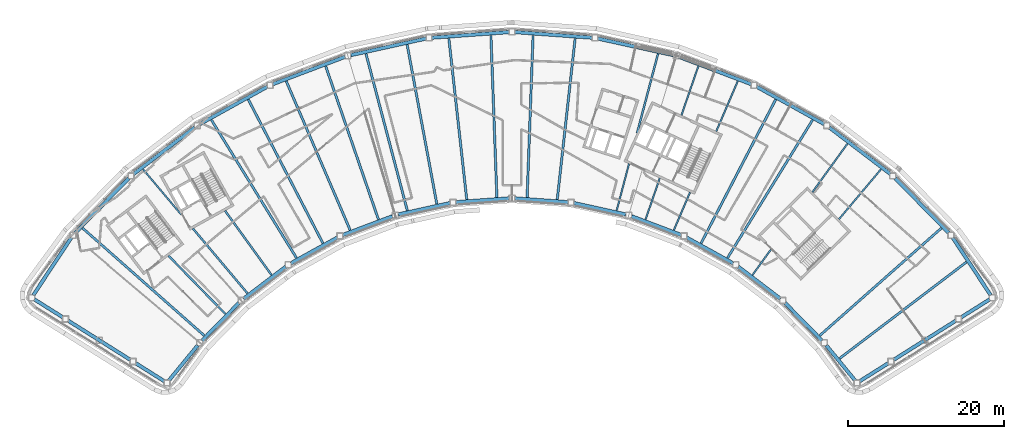
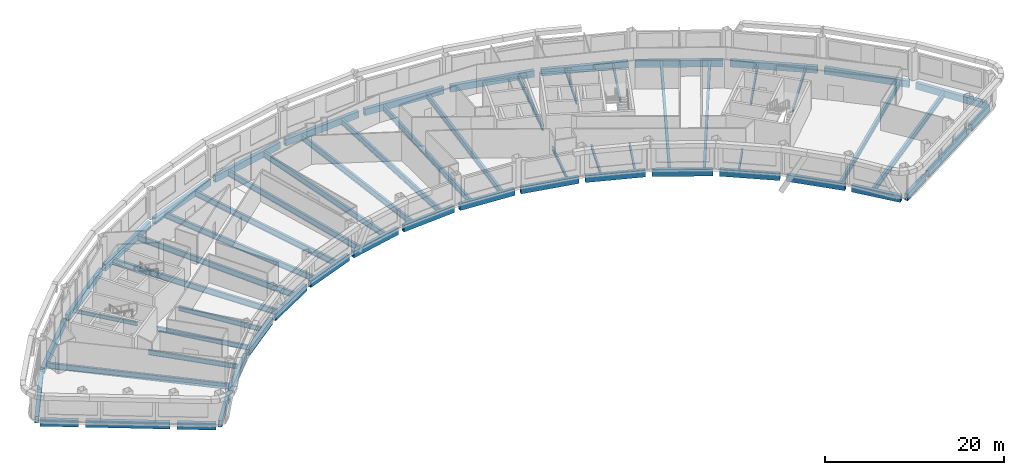
# One storey, part 3 of 13: 62 beams.
"""IFC4 building model written with IfcOpenShell, lengths in metres."""

from ifc_helpers import new_model, si_unit, direction, frame, origin, origin_2d, place, context, subcontext, project, spatial, hollow_rectangle, i_section, extrude, material, material_profile, profile_set, type_object, element, save


model = new_model("IFC4")

# Units and contexts
model_context = context("Model", 3, precision=1e-05, world=origin(), true_north=direction((0.0, 1.0)))
body_context = subcontext(model_context, "Body", "Model", "MODEL_VIEW")
ifc_project = project(units=[si_unit("LENGTHUNIT", "METRE"), si_unit("AREAUNIT", "SQUARE_METRE"), si_unit("VOLUMEUNIT", "CUBIC_METRE"), si_unit("PLANEANGLEUNIT", "RADIAN"), si_unit("MASSUNIT", "GRAM", prefix="KILO")], contexts=[model_context])

# Site, building, storey
site_placement = place(None, origin())
site = spatial("IfcSite", under=ifc_project, at=site_placement, CompositionType="ELEMENT")
building_placement = place(site_placement, origin())
building = spatial("IfcBuilding", under=site, at=building_placement, Name="Tuul Gate Civic Tower", CompositionType="ELEMENT")
storey_placement = place(building_placement, frame((0.0, 0.0, 252.60009765625)))
storey = spatial("IfcBuildingStorey", under=building, at=storey_placement, Name="Level 57", CompositionType="ELEMENT", Elevation=252.60009765625)

# Beams
ifc_material_1 = material(Name="Steel S355", Category="steel")
ifc_material_profile_1 = material_profile(ifc_material_1, i_section(OverallWidth=0.199951171875, OverallDepth=0.5, WebThickness=0.010009765625, FlangeThickness=0.01611328125, at=origin_2d()), Name="PG500x200x10x16")
ifc_profile_set_1 = profile_set([ifc_material_profile_1], Name="Steel S355")
beam_type_1 = type_object("IfcBeamType", Name="STR-FLOOR BEAM-PG500x200x10x16", PredefinedType="BEAM", material=ifc_profile_set_1)
beam_1_placement = place(storey_placement, frame((53.012939453125, -10.570068359375, -0.550048828125), z_axis=(0.644124963716, 0.764920277622, 0.0), x_axis=(-0.764920277622, 0.644124963716, 0.0)))
element("IfcBeam", 1, at=beam_1_placement, inside=storey, type_object=beam_type_1, Name="Floor beam", PredefinedType="BEAM", context=body_context, shape_type="SweptSolid", body=[
    extrude(i_section(OverallWidth=0.199951171875, OverallDepth=0.5, WebThickness=0.010009765625, FlangeThickness=0.01611328125, at=origin_2d()), origin(), (0.0, 0.0, 1.0), 8.367431640625),
])
beam_2_placement = place(storey_placement, frame((41.900390625, -17.74755859375, -0.550048828125), z_axis=(0.58608498793, 0.810249583106, 0.0), x_axis=(-0.810249583106, 0.58608498793, 0.0)))
element("IfcBeam", 2, at=beam_2_placement, inside=storey, type_object=beam_type_1, Name="Floor beam", PredefinedType="BEAM", context=body_context, shape_type="SweptSolid", body=[
    extrude(i_section(OverallWidth=0.199951171875, OverallDepth=0.5, WebThickness=0.010009765625, FlangeThickness=0.01611328125, at=origin_2d()), origin(), (0.0, 0.0, 1.0), 4.017822265625),
])
beam_3_placement = place(storey_placement, frame((49.606201171875, -7.094482421875, -0.550048828125), z_axis=(0.586082829809, 0.810251144154, 0.0), x_axis=(-0.810251144154, 0.586082829809, 0.0)))
element("IfcBeam", 3, at=beam_3_placement, inside=storey, type_object=beam_type_1, Name="Floor beam", PredefinedType="BEAM", context=body_context, shape_type="SweptSolid", body=[
    extrude(i_section(OverallWidth=0.199951171875, OverallDepth=0.5, WebThickness=0.010009765625, FlangeThickness=0.01611328125, at=origin_2d()), origin(), (0.0, 0.0, 1.0), 7.658447265625),
])
beam_4_placement = place(storey_placement, frame((31.8076171875, -11.986328125, -0.550048828125), z_axis=(0.394180828633, 0.919032901663, 0.0), x_axis=(-0.919032901663, 0.394180828633, 0.0)))
element("IfcBeam", 4, at=beam_4_placement, inside=storey, type_object=beam_type_1, Name="Floor beam", PredefinedType="BEAM", context=body_context, shape_type="SweptSolid", body=[
    extrude(i_section(OverallWidth=0.199951171875, OverallDepth=0.5, WebThickness=0.010009765625, FlangeThickness=0.01611328125, at=origin_2d()), origin(), (0.0, 0.0, 1.0), 5.294921875),
])
beam_5_placement = place(storey_placement, frame((37.247314453125, 0.695556640625, -0.550048828125), z_axis=(0.394187897698, 0.91902986965, 0.0), x_axis=(-0.91902986965, 0.394187897698, 0.0)))
element("IfcBeam", 5, at=beam_5_placement, inside=storey, type_object=beam_type_1, Name="Floor beam", PredefinedType="BEAM", context=body_context, shape_type="SweptSolid", body=[
    extrude(i_section(OverallWidth=0.199951171875, OverallDepth=0.5, WebThickness=0.010009765625, FlangeThickness=0.01611328125, at=origin_2d()), origin(), (0.0, 0.0, 1.0), 7.020263671875),
])
beam_6_placement = place(storey_placement, frame((28.17724609375, -10.613525390625, -0.550048828125), z_axis=(0.32546385433, 0.945554482579, 0.0), x_axis=(-0.945554482579, 0.32546385433, 0.0)))
element("IfcBeam", 6, at=beam_6_placement, inside=storey, type_object=beam_type_1, Name="Floor beam", PredefinedType="BEAM", context=body_context, shape_type="SweptSolid", body=[
    extrude(i_section(OverallWidth=0.199951171875, OverallDepth=0.5, WebThickness=0.010009765625, FlangeThickness=0.01611328125, at=origin_2d()), origin(), (0.0, 0.0, 1.0), 5.61328125),
])
beam_7_placement = place(storey_placement, frame((32.7861328125, 2.775634765625, -0.550048828125), z_axis=(0.325498409491, 0.94554258784, 0.0), x_axis=(-0.94554258784, 0.325498409491, 0.0)))
element("IfcBeam", 7, at=beam_7_placement, inside=storey, type_object=beam_type_1, Name="Floor beam", PredefinedType="BEAM", context=body_context, shape_type="SweptSolid", body=[
    extrude(i_section(OverallWidth=0.199951171875, OverallDepth=0.5, WebThickness=0.010009765625, FlangeThickness=0.01611328125, at=origin_2d()), origin(), (0.0, 0.0, 1.0), 6.649169921875),
])
beam_8_placement = place(storey_placement, frame((24.469482421875, -9.467041015625, -0.550048828125), z_axis=(0.254996491749, 0.966941978195, 0.0), x_axis=(-0.966941978195, 0.254996491749, 0.0)))
element("IfcBeam", 8, at=beam_8_placement, inside=storey, type_object=beam_type_1, Name="Floor beam", PredefinedType="BEAM", context=body_context, shape_type="SweptSolid", body=[
    extrude(i_section(OverallWidth=0.199951171875, OverallDepth=0.5, WebThickness=0.010009765625, FlangeThickness=0.01611328125, at=origin_2d()), origin(), (0.0, 0.0, 1.0), 6.208984375),
])
beam_9_placement = place(storey_placement, frame((-31.43212890625, -9.998779296875, -0.550048828125), z_axis=(-0.644120948452, 0.764923658782, 0.0), x_axis=(-0.764923658782, -0.644120948452, 0.0)))
element("IfcBeam", 9, at=beam_9_placement, inside=storey, type_object=beam_type_1, Name="Floor beam", PredefinedType="BEAM", context=body_context, shape_type="SweptSolid", body=[
    extrude(i_section(OverallWidth=0.199951171875, OverallDepth=0.5, WebThickness=0.010009765625, FlangeThickness=0.01611328125, at=origin_2d()), origin(), (0.0, 0.0, 1.0), 7.62109375),
])
ifc_material_2 = material(Name="Steel S355", Category="steel")
ifc_material_profile_2 = material_profile(ifc_material_2, i_section(OverallWidth=0.25, OverallDepth=0.64990234375, WebThickness=0.011962890625, FlangeThickness=0.02001953125, at=origin_2d()), Name="PG650x250x12x20")
ifc_profile_set_2 = profile_set([ifc_material_profile_2], Name="Steel S355")
beam_type_2 = type_object("IfcBeamType", Name="STR-FLOOR BEAM-PG650x250x12x20", PredefinedType="BEAM", material=ifc_profile_set_2)
beam_10_placement = place(storey_placement, frame((27.08447265625, 0.44873046875, -0.625), z_axis=(0.255007501185, 0.966939074782, 0.0), x_axis=(-0.966939074782, 0.255007501185, 0.0)))
element("IfcBeam", 10, at=beam_10_placement, inside=storey, type_object=beam_type_2, Name="Floor beam", PredefinedType="BEAM", context=body_context, shape_type="SweptSolid", body=[
    extrude(i_section(OverallWidth=0.25, OverallDepth=0.64990234375, WebThickness=0.011962890625, FlangeThickness=0.02001953125, at=origin_2d()), origin(), (0.0, 0.0, 1.0), 10.562744140625),
])
beam_11_placement = place(storey_placement, frame((-19.838623046875, -17.747314453125, -0.625), z_axis=(-0.586080278924, 0.810252989292, 0.0), x_axis=(-0.810252989292, -0.586080278924, 0.0)))
element("IfcBeam", 11, at=beam_11_placement, inside=storey, type_object=beam_type_2, Name="Floor beam", PredefinedType="BEAM", context=body_context, shape_type="SweptSolid", body=[
    extrude(i_section(OverallWidth=0.25, OverallDepth=0.64990234375, WebThickness=0.011962890625, FlangeThickness=0.02001953125, at=origin_2d()), origin(), (0.0, 0.0, 1.0), 10.18505859375),
])
beam_12_placement = place(storey_placement, frame((-22.927001953125, -20.0986328125, -0.625), z_axis=(-0.644130906332, 0.764915273418, 0.0), x_axis=(-0.764915273418, -0.644130906332, 0.0)))
element("IfcBeam", 12, at=beam_12_placement, inside=storey, type_object=beam_type_2, Name="Floor beam", PredefinedType="BEAM", context=body_context, shape_type="SweptSolid", body=[
    extrude(i_section(OverallWidth=0.25, OverallDepth=0.64990234375, WebThickness=0.011962890625, FlangeThickness=0.02001953125, at=origin_2d()), origin(), (0.0, 0.0, 1.0), 10.87451171875),
])
beam_13_placement = place(storey_placement, frame((-25.767333984375, -22.744140625, -0.625), z_axis=(-0.698680484376, 0.715433840933, 0.0), x_axis=(-0.715433840933, -0.698680484376, 0.0)))
element("IfcBeam", 13, at=beam_13_placement, inside=storey, type_object=beam_type_2, Name="Floor beam", PredefinedType="BEAM", context=body_context, shape_type="SweptSolid", body=[
    extrude(i_section(OverallWidth=0.25, OverallDepth=0.64990234375, WebThickness=0.011962890625, FlangeThickness=0.02001953125, at=origin_2d()), origin(), (0.0, 0.0, 1.0), 10.43408203125),
])
ifc_material_3 = material(Name="Steel S355", Category="steel")
ifc_material_profile_3 = material_profile(ifc_material_3, i_section(OverallWidth=0.300048828125, OverallDepth=0.800048828125, WebThickness=0.013916015625, FlangeThickness=0.02490234375, at=origin_2d()), Name="PG800x300x14x25")
ifc_profile_set_3 = profile_set([ifc_material_profile_3], Name="Steel S355")
beam_type_3 = type_object("IfcBeamType", Name="STR-FLOOR BEAM-PG800x300x14x25", PredefinedType="BEAM", material=ifc_profile_set_3)
beam_14_placement = place(storey_placement, frame((53.0859375, -28.4609375, -0.7001953125), z_axis=(0.796147939121, 0.605102023657, 0.0), x_axis=(-0.605102023657, 0.796147939121, 0.0)))
element("IfcBeam", 14, at=beam_14_placement, inside=storey, type_object=beam_type_3, Name="Floor beam", PredefinedType="BEAM", context=body_context, shape_type="SweptSolid", body=[
    extrude(i_section(OverallWidth=0.300048828125, OverallDepth=0.800048828125, WebThickness=0.013916015625, FlangeThickness=0.02490234375, at=origin_2d()), origin(), (0.0, 0.0, 1.0), 20.4619140625),
])
beam_15_placement = place(storey_placement, frame((50.546630859375, -25.51611328125, -0.7001953125), z_axis=(0.749454599758, 0.662055740026, 0.0), x_axis=(-0.662055740026, 0.749454599758, 0.0)))
element("IfcBeam", 15, at=beam_15_placement, inside=storey, type_object=beam_type_3, Name="Floor beam", PredefinedType="BEAM", context=body_context, shape_type="SweptSolid", body=[
    extrude(i_section(OverallWidth=0.300048828125, OverallDepth=0.800048828125, WebThickness=0.013916015625, FlangeThickness=0.02490234375, at=origin_2d()), origin(), (0.0, 0.0, 1.0), 20.82763671875),
])
beam_16_placement = place(storey_placement, frame((38.69677734375, -15.556396484375, -0.7001953125), z_axis=(0.524851468826, 0.851193829672, 0.0), x_axis=(-0.851193829672, 0.524851468826, 0.0)))
element("IfcBeam", 16, at=beam_16_placement, inside=storey, type_object=beam_type_3, Name="Floor beam", PredefinedType="BEAM", context=body_context, shape_type="SweptSolid", body=[
    extrude(i_section(OverallWidth=0.300048828125, OverallDepth=0.800048828125, WebThickness=0.013916015625, FlangeThickness=0.02490234375, at=origin_2d()), origin(), (0.0, 0.0, 1.0), 20.822998046875),
])
beam_17_placement = place(storey_placement, frame((35.30224609375, -13.67431640625, -0.7001953125), z_axis=(0.460781503105, 0.887513609133, 0.0), x_axis=(-0.887513609133, 0.460781503105, 0.0)))
element("IfcBeam", 17, at=beam_17_placement, inside=storey, type_object=beam_type_3, Name="Floor beam", PredefinedType="BEAM", context=body_context, shape_type="SweptSolid", body=[
    extrude(i_section(OverallWidth=0.300048828125, OverallDepth=0.800048828125, WebThickness=0.013916015625, FlangeThickness=0.02490234375, at=origin_2d()), origin(), (0.0, 0.0, 1.0), 20.807861328125),
])
beam_18_placement = place(storey_placement, frame((16.84228515625, -8.052001953125, -0.7001953125), z_axis=(0.110274472783, 0.993901172478, 0.0), x_axis=(-0.993901172478, 0.110274472783, 0.0)))
element("IfcBeam", 18, at=beam_18_placement, inside=storey, type_object=beam_type_3, Name="Floor beam", PredefinedType="BEAM", context=body_context, shape_type="SweptSolid", body=[
    extrude(i_section(OverallWidth=0.300048828125, OverallDepth=0.800048828125, WebThickness=0.013916015625, FlangeThickness=0.02490234375, at=origin_2d()), origin(), (0.0, 0.0, 1.0), 20.8154296875),
])
for number, where, z_axis, x_axis, name in (
    (19, (12.971435546875, -7.771728515625, -0.7001953125), (0.036820764609, 0.999321885727, 0.0), (-0.999321885727, 0.036820764609, 0.0), "Floor beam"),
    (20, (9.090576171875, -7.771728515625, -0.7001953125), (-0.036832478792, 0.999321454041, 0.0), (-0.999321454041, -0.036832478792, 0.0), "Floor beam"),
):
    element("IfcBeam", number, at=place(storey_placement, frame(where, z_axis=z_axis, x_axis=x_axis)), inside=storey, type_object=beam_type_3, Name=name, PredefinedType="BEAM", context=body_context, shape_type="SweptSolid", body=[
        extrude(i_section(OverallWidth=0.300048828125, OverallDepth=0.800048828125, WebThickness=0.013916015625, FlangeThickness=0.02490234375, at=origin_2d()), origin(), (0.0, 0.0, 1.0), 20.813232421875),
    ])
beam_19_placement = place(storey_placement, frame((5.2197265625, -8.052001953125, -0.7001953125), z_axis=(-0.110286058964, 0.993899886909, 0.0), x_axis=(-0.993899886909, -0.110286058964, 0.0)))
element("IfcBeam", 21, at=beam_19_placement, inside=storey, type_object=beam_type_3, Name="Floor beam", PredefinedType="BEAM", context=body_context, shape_type="SweptSolid", body=[
    extrude(i_section(OverallWidth=0.300048828125, OverallDepth=0.800048828125, WebThickness=0.013916015625, FlangeThickness=0.02490234375, at=origin_2d()), origin(), (0.0, 0.0, 1.0), 20.8154296875),
])
beam_20_placement = place(storey_placement, frame((1.38232421875, -8.631591796875, -0.7001953125), z_axis=(-0.1831360046, 0.983087587054, 0.0), x_axis=(-0.983087587054, -0.1831360046, 0.0)))
element("IfcBeam", 22, at=beam_20_placement, inside=storey, type_object=beam_type_3, Name="Floor beam", PredefinedType="BEAM", context=body_context, shape_type="SweptSolid", body=[
    extrude(i_section(OverallWidth=0.300048828125, OverallDepth=0.800048828125, WebThickness=0.013916015625, FlangeThickness=0.02490234375, at=origin_2d()), origin(), (0.0, 0.0, 1.0), 20.811279296875),
])
beam_21_placement = place(storey_placement, frame((-2.40771484375, -9.467041015625, -0.7001953125), z_axis=(-0.255004720301, 0.96693980817, 0.0), x_axis=(-0.96693980817, -0.255004720301, 0.0)))
element("IfcBeam", 23, at=beam_21_placement, inside=storey, type_object=beam_type_3, Name="Floor beam", PredefinedType="BEAM", context=body_context, shape_type="SweptSolid", body=[
    extrude(i_section(OverallWidth=0.300048828125, OverallDepth=0.800048828125, WebThickness=0.013916015625, FlangeThickness=0.02490234375, at=origin_2d()), origin(), (0.0, 0.0, 1.0), 20.817626953125),
])
beam_22_placement = place(storey_placement, frame((-6.115478515625, -10.613525390625, -0.7001953125), z_axis=(-0.325476485131, 0.945550134909, 0.0), x_axis=(-0.945550134909, -0.325476485131, 0.0)))
element("IfcBeam", 24, at=beam_22_placement, inside=storey, type_object=beam_type_3, Name="Floor beam", PredefinedType="BEAM", context=body_context, shape_type="SweptSolid", body=[
    extrude(i_section(OverallWidth=0.300048828125, OverallDepth=0.800048828125, WebThickness=0.013916015625, FlangeThickness=0.02490234375, at=origin_2d()), origin(), (0.0, 0.0, 1.0), 20.809326171875),
])
beam_23_placement = place(storey_placement, frame((-9.74560546875, -11.986328125, -0.7001953125), z_axis=(-0.394206576273, 0.919021857859, 0.0), x_axis=(-0.919021857859, -0.394206576273, 0.0)))
element("IfcBeam", 25, at=beam_23_placement, inside=storey, type_object=beam_type_3, Name="Floor beam", PredefinedType="BEAM", context=body_context, shape_type="SweptSolid", body=[
    extrude(i_section(OverallWidth=0.300048828125, OverallDepth=0.800048828125, WebThickness=0.013916015625, FlangeThickness=0.02490234375, at=origin_2d()), origin(), (0.0, 0.0, 1.0), 20.81982421875),
])
beam_24_placement = place(storey_placement, frame((-13.240478515625, -13.674072265625, -0.7001953125), z_axis=(-0.460777059353, 0.887515916237, 0.0), x_axis=(-0.887515916237, -0.460777059353, 0.0)))
element("IfcBeam", 26, at=beam_24_placement, inside=storey, type_object=beam_type_3, Name="Floor beam", PredefinedType="BEAM", context=body_context, shape_type="SweptSolid", body=[
    extrude(i_section(OverallWidth=0.300048828125, OverallDepth=0.800048828125, WebThickness=0.013916015625, FlangeThickness=0.02490234375, at=origin_2d()), origin(), (0.0, 0.0, 1.0), 20.8076171875),
])
beam_25_placement = place(storey_placement, frame((-16.63525390625, -15.55615234375, -0.7001953125), z_axis=(-0.524839716817, 0.851201075922, 0.0), x_axis=(-0.851201075922, -0.524839716817, 0.0)))
element("IfcBeam", 27, at=beam_25_placement, inside=storey, type_object=beam_type_3, Name="Floor beam", PredefinedType="BEAM", context=body_context, shape_type="SweptSolid", body=[
    extrude(i_section(OverallWidth=0.300048828125, OverallDepth=0.800048828125, WebThickness=0.013916015625, FlangeThickness=0.02490234375, at=origin_2d()), origin(), (0.0, 0.0, 1.0), 20.822509765625),
])
beam_26_placement = place(storey_placement, frame((-28.48486328125, -25.51611328125, -0.7001953125), z_axis=(-0.749449461751, 0.662061556263, 0.0), x_axis=(-0.662061556263, -0.749449461751, 0.0)))
element("IfcBeam", 28, at=beam_26_placement, inside=storey, type_object=beam_type_3, Name="Floor beam", PredefinedType="BEAM", context=body_context, shape_type="SweptSolid", body=[
    extrude(i_section(OverallWidth=0.300048828125, OverallDepth=0.800048828125, WebThickness=0.013916015625, FlangeThickness=0.02490234375, at=origin_2d()), origin(), (0.0, 0.0, 1.0), 20.827392578125),
])
ifc_material_4 = material(Name="Steel S355", Category="steel")
ifc_material_profile_4 = material_profile(ifc_material_4, hollow_rectangle(XDim=0.449951171875, YDim=0.89990234375, WallThickness=0.02490234375, at=origin_2d()), Name="BOX900x450x25")
ifc_profile_set_4 = profile_set([ifc_material_profile_4], Name="Steel S355")
beam_type_4 = type_object("IfcBeamType", Name="STR-SPANDREL BEAM-BOX900x450x25", PredefinedType="BEAM", material=ifc_profile_set_4)
beam_27_placement = place(storey_placement, frame((72.4814453125, -20.3203125, -0.75), z_axis=(-0.551644580762, 0.834079286708, 0.0), x_axis=(-0.834079286708, -0.551644580762, 0.0)))
element("IfcBeam", 29, at=beam_27_placement, inside=storey, type_object=beam_type_4, Name="Spandrel beam", PredefinedType="BEAM", context=body_context, shape_type="SweptSolid", body=[
    extrude(hollow_rectangle(XDim=0.449951171875, YDim=0.89990234375, WallThickness=0.02490234375, at=origin_2d()), origin(), (0.0, 0.0, 1.0), 8.805908203125),
])
beam_28_placement = place(storey_placement, frame((67.123046875, -12.3564453125, -0.75), z_axis=(-0.700052630296, 0.714091251042, 0.0), x_axis=(-0.714091251042, -0.700052630296, 0.0)))
element("IfcBeam", 30, at=beam_28_placement, inside=storey, type_object=beam_type_4, Name="Spandrel beam", PredefinedType="BEAM", context=body_context, shape_type="SweptSolid", body=[
    extrude(hollow_rectangle(XDim=0.449951171875, YDim=0.89990234375, WallThickness=0.02490234375, at=origin_2d()), origin(), (0.0, 0.0, 1.0), 9.8779296875),
])
beam_29_placement = place(storey_placement, frame((59.60986328125, -4.774658203125, -0.75), z_axis=(-0.795586019059, 0.605840644294, 0.0), x_axis=(-0.605840644294, -0.795586019059, 0.0)))
element("IfcBeam", 31, at=beam_29_placement, inside=storey, type_object=beam_type_4, Name="Spandrel beam", PredefinedType="BEAM", context=body_context, shape_type="SweptSolid", body=[
    extrude(hollow_rectangle(XDim=0.449951171875, YDim=0.89990234375, WallThickness=0.02490234375, at=origin_2d()), origin(), (0.0, 0.0, 1.0), 9.877685546875),
])
beam_30_placement = place(storey_placement, frame((51.083251953125, 1.64599609375, -0.75), z_axis=(-0.874631416408, 0.484788495565, 0.0), x_axis=(-0.484788495565, -0.874631416408, 0.0)))
element("IfcBeam", 32, at=beam_30_placement, inside=storey, type_object=beam_type_4, Name="Spandrel beam", PredefinedType="BEAM", context=body_context, shape_type="SweptSolid", body=[
    extrude(hollow_rectangle(XDim=0.449951171875, YDim=0.89990234375, WallThickness=0.02490234375, at=origin_2d()), origin(), (0.0, 0.0, 1.0), 9.876708984375),
])
beam_31_placement = place(storey_placement, frame((41.720947265625, 6.76953125, -0.75), z_axis=(-0.935348375613, 0.353727884451, 0.0), x_axis=(-0.353727884451, -0.935348375613, 0.0)))
element("IfcBeam", 33, at=beam_31_placement, inside=storey, type_object=beam_type_4, Name="Spandrel beam", PredefinedType="BEAM", context=body_context, shape_type="SweptSolid", body=[
    extrude(hollow_rectangle(XDim=0.449951171875, YDim=0.89990234375, WallThickness=0.02490234375, at=origin_2d()), origin(), (0.0, 0.0, 1.0), 9.87744140625),
])
beam_32_placement = place(storey_placement, frame((31.71728515625, 10.490966796875, -0.75), z_axis=(-0.976565880984, 0.215218679716, 0.0), x_axis=(-0.215218679716, -0.976565880984, 0.0)))
element("IfcBeam", 34, at=beam_32_placement, inside=storey, type_object=beam_type_4, Name="Spandrel beam", PredefinedType="BEAM", context=body_context, shape_type="SweptSolid", body=[
    extrude(hollow_rectangle(XDim=0.449951171875, YDim=0.89990234375, WallThickness=0.02490234375, at=origin_2d()), origin(), (0.0, 0.0, 1.0), 9.878173828125),
])
beam_33_placement = place(storey_placement, frame((21.281005859375, 12.73193359375, -0.75), z_axis=(-0.997389983978, 0.072202630563, 0.0), x_axis=(-0.072202630563, -0.997389983978, 0.0)))
element("IfcBeam", 35, at=beam_33_placement, inside=storey, type_object=beam_type_4, Name="Spandrel beam", PredefinedType="BEAM", context=body_context, shape_type="SweptSolid", body=[
    extrude(hollow_rectangle(XDim=0.449951171875, YDim=0.89990234375, WallThickness=0.02490234375, at=origin_2d()), origin(), (0.0, 0.0, 1.0), 9.876953125),
])
beam_34_placement = place(storey_placement, frame((10.632080078125, 13.445068359375, -0.75), z_axis=(-0.997390499353, -0.072195510943, 0.0), x_axis=(0.072195510943, -0.997390499353, 0.0)))
element("IfcBeam", 36, at=beam_34_placement, inside=storey, type_object=beam_type_4, Name="Spandrel beam", PredefinedType="BEAM", context=body_context, shape_type="SweptSolid", body=[
    extrude(hollow_rectangle(XDim=0.449951171875, YDim=0.89990234375, WallThickness=0.02490234375, at=origin_2d()), origin(), (0.0, 0.0, 1.0), 9.8779296875),
])
beam_35_placement = place(storey_placement, frame((-0.009521484375, 12.616943359375, -0.75), z_axis=(-0.97656649642, -0.215215887123, 0.0), x_axis=(0.215215887123, -0.97656649642, 0.0)))
element("IfcBeam", 37, at=beam_35_placement, inside=storey, type_object=beam_type_4, Name="Spandrel beam", PredefinedType="BEAM", context=body_context, shape_type="SweptSolid", body=[
    extrude(hollow_rectangle(XDim=0.449951171875, YDim=0.89990234375, WallThickness=0.02490234375, at=origin_2d()), origin(), (0.0, 0.0, 1.0), 9.877197265625),
])
beam_36_placement = place(storey_placement, frame((-10.420166015625, 10.263427734375, -0.75), z_axis=(-0.935348375613, -0.353727884451, 0.0), x_axis=(0.353727884451, -0.935348375613, 0.0)))
element("IfcBeam", 38, at=beam_36_placement, inside=storey, type_object=beam_type_4, Name="Spandrel beam", PredefinedType="BEAM", context=body_context, shape_type="SweptSolid", body=[
    extrude(hollow_rectangle(XDim=0.449951171875, YDim=0.89990234375, WallThickness=0.02490234375, at=origin_2d()), origin(), (0.0, 0.0, 1.0), 9.87744140625),
])
beam_37_placement = place(storey_placement, frame((-20.3828125, 6.43408203125, -0.75), z_axis=(-0.874631416408, -0.484788495565, 0.0), x_axis=(0.484788495565, -0.874631416408, 0.0)))
element("IfcBeam", 39, at=beam_37_placement, inside=storey, type_object=beam_type_4, Name="Spandrel beam", PredefinedType="BEAM", context=body_context, shape_type="SweptSolid", body=[
    extrude(hollow_rectangle(XDim=0.449951171875, YDim=0.89990234375, WallThickness=0.02490234375, at=origin_2d()), origin(), (0.0, 0.0, 1.0), 9.876708984375),
])
beam_38_placement = place(storey_placement, frame((-29.689208984375, 1.209716796875, -0.75), z_axis=(-0.795622302229, -0.605792994509, 0.0), x_axis=(0.605792994509, -0.795622302229, 0.0)))
element("IfcBeam", 40, at=beam_38_placement, inside=storey, type_object=beam_type_4, Name="Spandrel beam", PredefinedType="BEAM", context=body_context, shape_type="SweptSolid", body=[
    extrude(hollow_rectangle(XDim=0.449951171875, YDim=0.89990234375, WallThickness=0.02490234375, at=origin_2d()), origin(), (0.0, 0.0, 1.0), 9.878662109375),
])
beam_39_placement = place(storey_placement, frame((-38.14697265625, -5.302734375, -0.75), z_axis=(-0.700002211949, -0.714140674704, 0.0), x_axis=(0.714140674704, -0.700002211949, 0.0)))
element("IfcBeam", 41, at=beam_39_placement, inside=storey, type_object=beam_type_4, Name="Spandrel beam", PredefinedType="BEAM", context=body_context, shape_type="SweptSolid", body=[
    extrude(hollow_rectangle(XDim=0.449951171875, YDim=0.89990234375, WallThickness=0.02490234375, at=origin_2d()), origin(), (0.0, 0.0, 1.0), 9.877197265625),
])
beam_40_placement = place(storey_placement, frame((-45.561767578125, -12.9755859375, -0.75), z_axis=(-0.551644580762, -0.834079286708, 0.0), x_axis=(0.834079286708, -0.551644580762, 0.0)))
element("IfcBeam", 42, at=beam_40_placement, inside=storey, type_object=beam_type_4, Name="Spandrel beam", PredefinedType="BEAM", context=body_context, shape_type="SweptSolid", body=[
    extrude(hollow_rectangle(XDim=0.449951171875, YDim=0.89990234375, WallThickness=0.02490234375, at=origin_2d()), origin(), (0.0, 0.0, 1.0), 8.805908203125),
])
beam_41_placement = place(storey_placement, frame((-50.301513671875, -20.8671875, -0.75), z_axis=(0.84613117079, -0.532974710298, 0.0), x_axis=(0.532974710298, 0.84613117079, 0.0)))
element("IfcBeam", 43, at=beam_41_placement, inside=storey, type_object=beam_type_4, Name="Spandrel beam", PredefinedType="BEAM", context=body_context, shape_type="SweptSolid", body=[
    extrude(hollow_rectangle(XDim=0.449951171875, YDim=0.89990234375, WallThickness=0.02490234375, at=origin_2d()), origin(), (0.0, 0.0, 1.0), 4.33154296875),
])
beam_42_placement = place(storey_placement, frame((-45.95947265625, -23.60205078125, -0.75), z_axis=(0.84620354352, -0.532859796695, 0.0), x_axis=(0.532859796695, 0.84620354352, 0.0)))
element("IfcBeam", 44, at=beam_42_placement, inside=storey, type_object=beam_type_4, Name="Spandrel beam", PredefinedType="BEAM", context=body_context, shape_type="SweptSolid", body=[
    extrude(hollow_rectangle(XDim=0.449951171875, YDim=0.89990234375, WallThickness=0.02490234375, at=origin_2d()), origin(), (0.0, 0.0, 1.0), 9.463623046875),
])
beam_43_placement = place(storey_placement, frame((-37.2744140625, -29.071044921875, -0.75), z_axis=(0.846271424817, -0.532751983138, 0.0), x_axis=(0.532751983138, 0.846271424817, 0.0)))
element("IfcBeam", 45, at=beam_43_placement, inside=storey, type_object=beam_type_4, Name="Spandrel beam", PredefinedType="BEAM", context=body_context, shape_type="SweptSolid", body=[
    extrude(hollow_rectangle(XDim=0.449951171875, YDim=0.89990234375, WallThickness=0.02490234375, at=origin_2d()), origin(), (0.0, 0.0, 1.0), 4.33203125),
])
beam_44_placement = place(storey_placement, frame((-33.016357421875, -31.28271484375, -0.75), z_axis=(0.63442976414, 0.772980513579, 0.0), x_axis=(-0.772980513579, 0.63442976414, 0.0)))
element("IfcBeam", 46, at=beam_44_placement, inside=storey, type_object=beam_type_4, Name="Spandrel beam", PredefinedType="BEAM", context=body_context, shape_type="SweptSolid", body=[
    extrude(hollow_rectangle(XDim=0.449951171875, YDim=0.89990234375, WallThickness=0.02490234375, at=origin_2d()), origin(), (0.0, 0.0, 1.0), 5.85205078125),
])
beam_45_placement = place(storey_placement, frame((-28.77001953125, -26.164306640625, -0.75), z_axis=(0.700025402034, 0.714117942995, 0.0), x_axis=(-0.714117942995, 0.700025402034, 0.0)))
element("IfcBeam", 47, at=beam_45_placement, inside=storey, type_object=beam_type_4, Name="Spandrel beam", PredefinedType="BEAM", context=body_context, shape_type="SweptSolid", body=[
    extrude(hollow_rectangle(XDim=0.449951171875, YDim=0.89990234375, WallThickness=0.02490234375, at=origin_2d()), origin(), (0.0, 0.0, 1.0), 6.791015625),
])
beam_46_placement = place(storey_placement, frame((-23.417724609375, -20.78662109375, -0.75), z_axis=(0.795626424775, 0.605787580098, 0.0), x_axis=(-0.605787580098, 0.795626424775, 0.0)))
element("IfcBeam", 48, at=beam_46_placement, inside=storey, type_object=beam_type_4, Name="Spandrel beam", PredefinedType="BEAM", context=body_context, shape_type="SweptSolid", body=[
    extrude(hollow_rectangle(XDim=0.449951171875, YDim=0.89990234375, WallThickness=0.02490234375, at=origin_2d()), origin(), (0.0, 0.0, 1.0), 6.79150390625),
])
beam_47_placement = place(storey_placement, frame((-17.34619140625, -16.236083984375, -0.75), z_axis=(0.87459604926, 0.484852297734, 0.0), x_axis=(-0.484852297734, 0.87459604926, 0.0)))
element("IfcBeam", 49, at=beam_47_placement, inside=storey, type_object=beam_type_4, Name="Spandrel beam", PredefinedType="BEAM", context=body_context, shape_type="SweptSolid", body=[
    extrude(hollow_rectangle(XDim=0.449951171875, YDim=0.89990234375, WallThickness=0.02490234375, at=origin_2d()), origin(), (0.0, 0.0, 1.0), 6.792236328125),
])
beam_48_placement = place(storey_placement, frame((-10.681884765625, -12.607421875, -0.75), z_axis=(0.935378837958, 0.353647323617, 0.0), x_axis=(-0.353647323617, 0.935378837958, 0.0)))
element("IfcBeam", 50, at=beam_48_placement, inside=storey, type_object=beam_type_4, Name="Spandrel beam", PredefinedType="BEAM", context=body_context, shape_type="SweptSolid", body=[
    extrude(hollow_rectangle(XDim=0.449951171875, YDim=0.89990234375, WallThickness=0.02490234375, at=origin_2d()), origin(), (0.0, 0.0, 1.0), 6.791748046875),
])
for number, where, z_axis, x_axis, name in (
    (51, (-3.564453125, -9.97802734375, -0.75), (0.976561119915, 0.215240282172, 0.0), (-0.215240282172, 0.976561119915, 0.0), "Spandrel beam"),
    (52, (3.85791015625, -8.401123046875, -0.75), (0.997391663711, 0.072179423387, 0.0), (-0.072179423387, 0.997391663711, 0.0), "Spandrel beam"),
    (53, (11.429931640625, -7.910888671875, -0.75), (0.997391663711, -0.072179423387, 0.0), (0.072179423387, 0.997391663711, 0.0), "Spandrel beam"),
    (54, (18.99365234375, -8.51611328125, -0.75), (0.976561119915, -0.215240282172, 0.0), (0.215240282172, 0.976561119915, 0.0), "Spandrel beam"),
):
    element("IfcBeam", number, at=place(storey_placement, frame(where, z_axis=z_axis, x_axis=x_axis)), inside=storey, type_object=beam_type_4, Name=name, PredefinedType="BEAM", context=body_context, shape_type="SweptSolid", body=[
        extrude(hollow_rectangle(XDim=0.449951171875, YDim=0.89990234375, WallThickness=0.02490234375, at=origin_2d()), origin(), (0.0, 0.0, 1.0), 6.7919921875),
    ])
beam_49_placement = place(storey_placement, frame((26.39111328125, -10.20556640625, -0.75), z_axis=(0.935378837958, -0.353647323617, 0.0), x_axis=(0.353647323617, 0.935378837958, 0.0)))
element("IfcBeam", 55, at=beam_49_placement, inside=storey, type_object=beam_type_4, Name="Spandrel beam", PredefinedType="BEAM", context=body_context, shape_type="SweptSolid", body=[
    extrude(hollow_rectangle(XDim=0.449951171875, YDim=0.89990234375, WallThickness=0.02490234375, at=origin_2d()), origin(), (0.0, 0.0, 1.0), 6.791748046875),
])
beam_50_placement = place(storey_placement, frame((33.4677734375, -12.94287109375, -0.75), z_axis=(0.874562243514, -0.484913272885, 0.0), x_axis=(0.484913272885, 0.874562243514, 0.0)))
element("IfcBeam", 56, at=beam_50_placement, inside=storey, type_object=beam_type_4, Name="Spandrel beam", PredefinedType="BEAM", context=body_context, shape_type="SweptSolid", body=[
    extrude(hollow_rectangle(XDim=0.449951171875, YDim=0.89990234375, WallThickness=0.02490234375, at=origin_2d()), origin(), (0.0, 0.0, 1.0), 6.791259765625),
])
beam_51_placement = place(storey_placement, frame((40.0751953125, -16.67236328125, -0.75), z_axis=(0.795679183599, -0.605718281701, 0.0), x_axis=(0.605718281701, 0.795679183599, 0.0)))
element("IfcBeam", 57, at=beam_51_placement, inside=storey, type_object=beam_type_4, Name="Spandrel beam", PredefinedType="BEAM", context=body_context, shape_type="SweptSolid", body=[
    extrude(hollow_rectangle(XDim=0.449951171875, YDim=0.89990234375, WallThickness=0.02490234375, at=origin_2d()), origin(), (0.0, 0.0, 1.0), 6.79248046875),
])
beam_52_placement = place(storey_placement, frame((46.078125, -21.314697265625, -0.75), z_axis=(0.700025402034, -0.714117942995, 0.0), x_axis=(0.714117942995, 0.700025402034, 0.0)))
element("IfcBeam", 58, at=beam_52_placement, inside=storey, type_object=beam_type_4, Name="Spandrel beam", PredefinedType="BEAM", context=body_context, shape_type="SweptSolid", body=[
    extrude(hollow_rectangle(XDim=0.449951171875, YDim=0.89990234375, WallThickness=0.02490234375, at=origin_2d()), origin(), (0.0, 0.0, 1.0), 6.791015625),
])
beam_53_placement = place(storey_placement, frame((51.36572265625, -26.75927734375, -0.75), z_axis=(0.634404835744, -0.773000973081, 0.0), x_axis=(0.773000973081, 0.634404835744, 0.0)))
element("IfcBeam", 59, at=beam_53_placement, inside=storey, type_object=beam_type_4, Name="Spandrel beam", PredefinedType="BEAM", context=body_context, shape_type="SweptSolid", body=[
    extrude(hollow_rectangle(XDim=0.449951171875, YDim=0.89990234375, WallThickness=0.02490234375, at=origin_2d()), origin(), (0.0, 0.0, 1.0), 5.851806640625),
])
beam_54_placement = place(storey_placement, frame((55.67041015625, -31.37890625, -0.75), z_axis=(0.846207423362, 0.532853635295, 0.0), x_axis=(-0.532853635295, 0.846207423362, 0.0)))
element("IfcBeam", 60, at=beam_54_placement, inside=storey, type_object=beam_type_4, Name="Spandrel beam", PredefinedType="BEAM", context=body_context, shape_type="SweptSolid", body=[
    extrude(hollow_rectangle(XDim=0.449951171875, YDim=0.89990234375, WallThickness=0.02490234375, at=origin_2d()), origin(), (0.0, 0.0, 1.0), 4.3310546875),
])
beam_55_placement = place(storey_placement, frame((60.012451171875, -28.644775390625, -0.75), z_axis=(0.84620354352, 0.532859796695, 0.0), x_axis=(-0.532859796695, 0.84620354352, 0.0)))
element("IfcBeam", 61, at=beam_55_placement, inside=storey, type_object=beam_type_4, Name="Spandrel beam", PredefinedType="BEAM", context=body_context, shape_type="SweptSolid", body=[
    extrude(hollow_rectangle(XDim=0.449951171875, YDim=0.89990234375, WallThickness=0.02490234375, at=origin_2d()), origin(), (0.0, 0.0, 1.0), 9.463623046875),
])
beam_56_placement = place(storey_placement, frame((68.697509765625, -23.17578125, -0.75), z_axis=(0.846195195567, 0.532873053362, 0.0), x_axis=(-0.532873053362, 0.846195195567, 0.0)))
element("IfcBeam", 62, at=beam_56_placement, inside=storey, type_object=beam_type_4, Name="Spandrel beam", PredefinedType="BEAM", context=body_context, shape_type="SweptSolid", body=[
    extrude(hollow_rectangle(XDim=0.449951171875, YDim=0.89990234375, WallThickness=0.02490234375, at=origin_2d()), origin(), (0.0, 0.0, 1.0), 4.332275390625),
])

save(model, "model.ifc")
